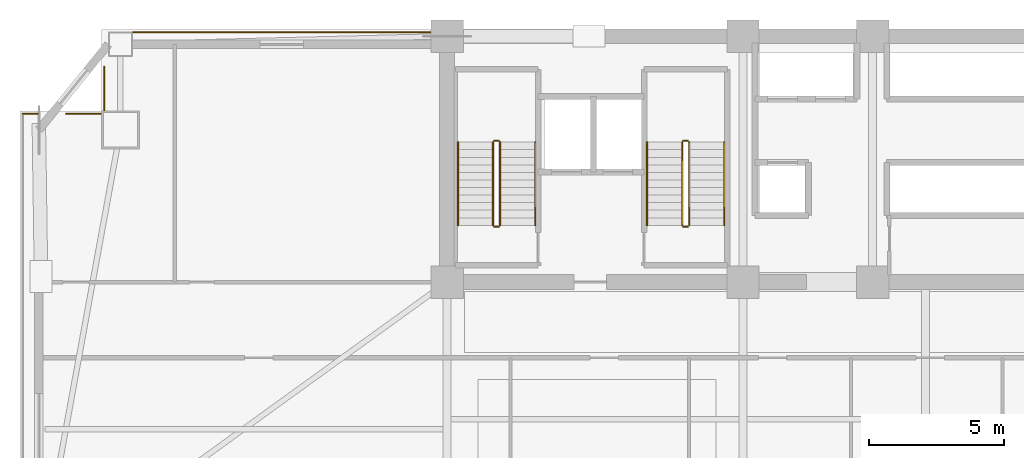
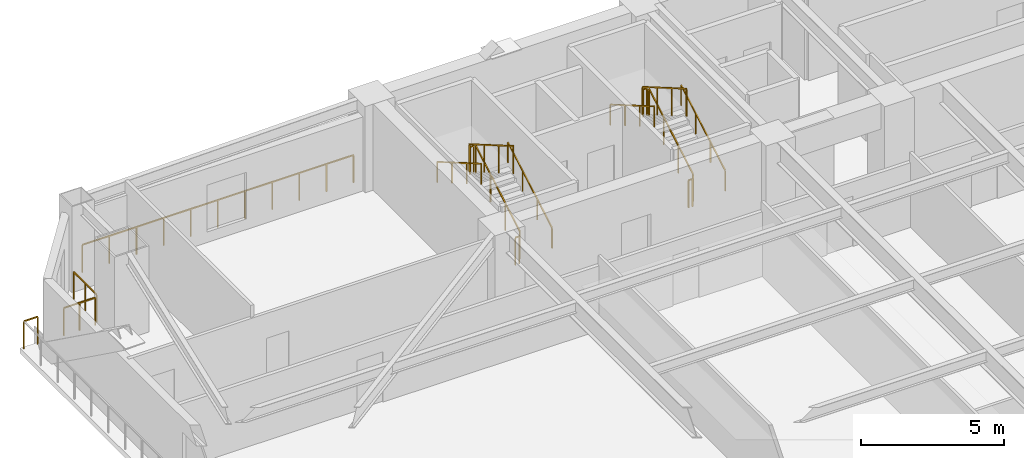
# One storey, part 14 of 15: 16 railings.
"""IFC4 building model written with IfcOpenShell, lengths in metres."""

from ifc_helpers import new_model, si_unit, direction, frame, origin, origin_2d, place, context, subcontext, project, spatial, rectangle, extrude, material, type_object, element, save


model = new_model("IFC4")

# Units and contexts
model_context = context("Model", 3, precision=1e-05, world=origin(), true_north=direction((0.0, 1.0)))
body_context = subcontext(model_context, "Body", "Model", "MODEL_VIEW")
ifc_project = project(units=[si_unit("LENGTHUNIT", "METRE"), si_unit("AREAUNIT", "SQUARE_METRE"), si_unit("VOLUMEUNIT", "CUBIC_METRE"), si_unit("PLANEANGLEUNIT", "RADIAN"), si_unit("MASSUNIT", "GRAM", prefix="KILO")], contexts=[model_context])

# Site, building, storey
site_placement = place(None, origin())
site = spatial("IfcSite", under=ifc_project, at=site_placement, CompositionType="ELEMENT")
building_placement = place(site_placement, origin())
building = spatial("IfcBuilding", under=site, at=building_placement, Name="Giltprow Tower", CompositionType="ELEMENT")
storey_placement = place(building_placement, frame((0.0, 0.0, 111.39990234375)))
storey = spatial("IfcBuildingStorey", under=building, at=storey_placement, Name="L27", CompositionType="ELEMENT", Elevation=111.39990234375)

# Railings
ifc_material = material(Name="Anodized bronze", Category="metal")
railing_type_1 = type_object("IfcRailingType", Name="RAIL-BALC-GUARD-1200", PredefinedType="BALUSTRADE", material=ifc_material)
railing_1_placement = place(storey_placement, frame((4.14404296875, 43.68310546875, 0.0)))
element("IfcRailing", 1, at=railing_1_placement, inside=storey, type_object=railing_type_1, Name="L27 Corner Apron Edge Balustrade 6", PredefinedType="BALUSTRADE", context=body_context, shape_type="SweptSolid", body=[
    extrude(rectangle(XDim=0.048095703125, YDim=0.048095703125, at=origin_2d()), frame((0.0, 0.0, 1.17578125), z_axis=(1.0, 0.0, 0.0), x_axis=(0.0, 1.0, 0.0)), (0.0, 0.0, 1.0), 0.558837890625),
    extrude(rectangle(XDim=0.0419921875, YDim=0.0419921875, at=origin_2d()), origin(), (0.0, 0.0, 1.0), 1.15185546875),
    extrude(rectangle(XDim=0.0419921875, YDim=0.0419921875, at=origin_2d()), frame((0.558837890625, 0.0, 0.0)), (0.0, 0.0, 1.0), 1.15185546875),
])
railing_2_placement = place(storey_placement, frame((5.758056640625, 43.68310546875, 0.0)))
element("IfcRailing", 2, at=railing_2_placement, inside=storey, type_object=railing_type_1, Name="L27 Corner Apron Edge Balustrade 7", PredefinedType="BALUSTRADE", context=body_context, shape_type="SweptSolid", body=[
    extrude(rectangle(XDim=0.048095703125, YDim=0.048095703125, at=origin_2d()), frame((0.0, 0.0, 1.17578125), z_axis=(1.0, 0.0, 0.0), x_axis=(0.0, 1.0, 0.0)), (0.0, 0.0, 1.0), 1.267822265625),
    extrude(rectangle(XDim=0.0419921875, YDim=0.0419921875, at=origin_2d()), origin(), (0.0, 0.0, 1.0), 1.15185546875),
    extrude(rectangle(XDim=0.0419921875, YDim=0.0419921875, at=origin_2d()), frame((0.6337890625, 0.0, 0.0)), (0.0, 0.0, 1.0), 1.15185546875),
    extrude(rectangle(XDim=0.0419921875, YDim=0.0419921875, at=origin_2d()), frame((1.267822265625, 0.0, 0.0)), (0.0, 0.0, 1.0), 1.15185546875),
])
railing_3_placement = place(storey_placement, frame((7.160888671875, 43.818115234375, 0.0)))
element("IfcRailing", 3, at=railing_3_placement, inside=storey, type_object=railing_type_1, Name="L27 Corner Apron Edge Balustrade 8", PredefinedType="BALUSTRADE", context=body_context, shape_type="SweptSolid", body=[
    extrude(rectangle(XDim=0.048095703125, YDim=0.048095703125, at=origin_2d()), frame((0.0, 0.0, 1.17578125), z_axis=(0.0, 1.0, 0.0), x_axis=(-1.0, 0.0, 0.0)), (0.0, 0.0, 1.0), 1.595947265625),
    extrude(rectangle(XDim=0.0419921875, YDim=0.0419921875, at=origin_2d()), origin(), (0.0, 0.0, 1.0), 1.15185546875),
    extrude(rectangle(XDim=0.0419921875, YDim=0.0419921875, at=origin_2d()), frame((0.0, 0.7978515625, 0.0)), (0.0, 0.0, 1.0), 1.15185546875),
    extrude(rectangle(XDim=0.0419921875, YDim=0.0419921875, at=origin_2d()), frame((0.0, 1.595947265625, 0.0)), (0.0, 0.0, 1.0), 1.15185546875),
])
railing_4_placement = place(storey_placement, frame((8.24609375, 46.699951171875, 0.0)))
element("IfcRailing", 4, at=railing_4_placement, inside=storey, type_object=railing_type_1, Name="L27 Corner Apron Edge Balustrade 9", PredefinedType="BALUSTRADE", context=body_context, shape_type="SweptSolid", body=[
    extrude(rectangle(XDim=0.048095703125, YDim=0.048095703125, at=origin_2d()), frame((0.0, 0.0, 1.17578125), z_axis=(1.0, 0.0, 0.0), x_axis=(0.0, 1.0, 0.0)), (0.0, 0.0, 1.0), 10.968994140625),
    extrude(rectangle(XDim=0.0419921875, YDim=0.0419921875, at=origin_2d()), origin(), (0.0, 0.0, 1.0), 1.15185546875),
    extrude(rectangle(XDim=0.0419921875, YDim=0.0419921875, at=origin_2d()), frame((1.096923828125, 0.0, 0.0)), (0.0, 0.0, 1.0), 1.15185546875),
    extrude(rectangle(XDim=0.0419921875, YDim=0.0419921875, at=origin_2d()), frame((2.19384765625, 0.0, 0.0)), (0.0, 0.0, 1.0), 1.15185546875),
    extrude(rectangle(XDim=0.0419921875, YDim=0.0419921875, at=origin_2d()), frame((3.290771484375, 0.0, 0.0)), (0.0, 0.0, 1.0), 1.15185546875),
    extrude(rectangle(XDim=0.0419921875, YDim=0.0419921875, at=origin_2d()), frame((4.3876953125, 0.0, 0.0)), (0.0, 0.0, 1.0), 1.15185546875),
    extrude(rectangle(XDim=0.0419921875, YDim=0.0419921875, at=origin_2d()), frame((5.484375, 0.0, 0.0)), (0.0, 0.0, 1.0), 1.15185546875),
    extrude(rectangle(XDim=0.0419921875, YDim=0.0419921875, at=origin_2d()), frame((6.581298828125, 0.0, 0.0)), (0.0, 0.0, 1.0), 1.15185546875),
    extrude(rectangle(XDim=0.0419921875, YDim=0.0419921875, at=origin_2d()), frame((7.67822265625, 0.0, 0.0)), (0.0, 0.0, 1.0), 1.15185546875),
    extrude(rectangle(XDim=0.0419921875, YDim=0.0419921875, at=origin_2d()), frame((8.775146484375, 0.0, 0.0)), (0.0, 0.0, 1.0), 1.15185546875),
    extrude(rectangle(XDim=0.0419921875, YDim=0.0419921875, at=origin_2d()), frame((9.8720703125, 0.0, 0.0)), (0.0, 0.0, 1.0), 1.15185546875),
    extrude(rectangle(XDim=0.0419921875, YDim=0.0419921875, at=origin_2d()), frame((10.968994140625, 0.0, 0.0)), (0.0, 0.0, 1.0), 1.15185546875),
])
railing_type_2 = type_object("IfcRailingType", Name="RAIL-STAIR-GUARD-1200", PredefinedType="GUARDRAIL", material=ifc_material)
railing_5_placement = place(storey_placement, frame((21.81005859375, 39.550048828125, 0.16259765625)))
element("IfcRailing", 5, at=railing_5_placement, inside=storey, type_object=railing_type_2, Name="L27 ST-1 stair guard 1", PredefinedType="GUARDRAIL", context=body_context, shape_type="SweptSolid", body=[
    extrude(rectangle(XDim=0.048095703125, YDim=0.048095703125, at=origin_2d()), frame((0.0, 0.0, 1.17578125), z_axis=(0.0, 0.864873446163, 0.501989962173), x_axis=(-1.0, 0.0, 0.0)), (0.0, 0.0, 1.0), 3.56103515625),
    extrude(rectangle(XDim=0.0419921875, YDim=0.0419921875, at=origin_2d()), origin(), (0.0, 0.0, 1.0), 1.15185546875),
    extrude(rectangle(XDim=0.0419921875, YDim=0.0419921875, at=origin_2d()), frame((0.0, 1.026611328125, 0.595947265625)), (0.0, 0.0, 1.0), 1.15185546875),
    extrude(rectangle(XDim=0.0419921875, YDim=0.0419921875, at=origin_2d()), frame((0.0, 2.05322265625, 1.191650390625)), (0.0, 0.0, 1.0), 1.15185546875),
    extrude(rectangle(XDim=0.0419921875, YDim=0.0419921875, at=origin_2d()), frame((0.0, 3.079833984375, 1.78759765625)), (0.0, 0.0, 1.0), 1.15185546875),
])
railing_6_placement = place(storey_placement, frame((21.760009765625, 42.679931640625, 1.9501953125)))
element("IfcRailing", 6, at=railing_6_placement, inside=storey, type_object=railing_type_2, Name="L27 ST-1 stair guard 2", PredefinedType="GUARDRAIL", context=body_context, shape_type="SweptSolid", body=[
    extrude(rectangle(XDim=0.048095703125, YDim=0.048095703125, at=origin_2d()), frame((0.0, 0.0, 1.17578125), z_axis=(-1.0, 0.0, 0.0), x_axis=(0.0, -1.0, 0.0)), (0.0, 0.0, 1.0), 0.159912109375),
    extrude(rectangle(XDim=0.0419921875, YDim=0.0419921875, at=origin_2d()), origin(), (0.0, 0.0, 1.0), 1.15185546875),
    extrude(rectangle(XDim=0.0419921875, YDim=0.0419921875, at=origin_2d()), frame((-0.159912109375, 0.0, 0.0)), (0.0, 0.0, 1.0), 1.15185546875),
])
railing_7_placement = place(storey_placement, frame((21.550048828125, 42.6298828125, 2.112548828125)))
element("IfcRailing", 7, at=railing_7_placement, inside=storey, type_object=railing_type_2, Name="L27 ST-1 stair guard 3", PredefinedType="GUARDRAIL", context=body_context, shape_type="SweptSolid", body=[
    extrude(rectangle(XDim=0.048095703125, YDim=0.048095703125, at=origin_2d()), frame((0.0, 0.0, 1.17578125), z_axis=(0.0, -0.864873446163, 0.501989962173), x_axis=(1.0, 0.0, 0.0)), (0.0, 0.0, 1.0), 3.56103515625),
    extrude(rectangle(XDim=0.0419921875, YDim=0.0419921875, at=origin_2d()), origin(), (0.0, 0.0, 1.0), 1.15185546875),
    extrude(rectangle(XDim=0.0419921875, YDim=0.0419921875, at=origin_2d()), frame((0.0, -1.026611328125, 0.595947265625)), (0.0, 0.0, 1.0), 1.15185546875),
    extrude(rectangle(XDim=0.0419921875, YDim=0.0419921875, at=origin_2d()), frame((0.0, -2.05322265625, 1.191650390625)), (0.0, 0.0, 1.0), 1.15185546875),
    extrude(rectangle(XDim=0.0419921875, YDim=0.0419921875, at=origin_2d()), frame((0.0, -3.079833984375, 1.78759765625)), (0.0, 0.0, 1.0), 1.15185546875),
])
railing_8_placement = place(storey_placement, frame((21.760009765625, 39.5, 0.0)))
element("IfcRailing", 8, at=railing_8_placement, inside=storey, type_object=railing_type_2, Name="L27 ST-1 stair guard 4", PredefinedType="GUARDRAIL", context=body_context, shape_type="SweptSolid", body=[
    extrude(rectangle(XDim=0.048095703125, YDim=0.048095703125, at=origin_2d()), frame((0.0, 0.0, 1.17578125), z_axis=(-1.0, 0.0, 0.0), x_axis=(0.0, -1.0, 0.0)), (0.0, 0.0, 1.0), 0.159912109375),
    extrude(rectangle(XDim=0.0419921875, YDim=0.0419921875, at=origin_2d()), origin(), (0.0, 0.0, 1.0), 1.15185546875),
    extrude(rectangle(XDim=0.0419921875, YDim=0.0419921875, at=origin_2d()), frame((-0.159912109375, 0.0, 0.0)), (0.0, 0.0, 1.0), 1.15185546875),
])
railing_9_placement = place(storey_placement, frame((28.81005859375, 39.550048828125, 0.16259765625)))
element("IfcRailing", 9, at=railing_9_placement, inside=storey, type_object=railing_type_2, Name="L27 ST-2 stair guard 1", PredefinedType="GUARDRAIL", context=body_context, shape_type="SweptSolid", body=[
    extrude(rectangle(XDim=0.048095703125, YDim=0.048095703125, at=origin_2d()), frame((0.0, 0.0, 1.17578125), z_axis=(0.0, 0.864873446163, 0.501989962173), x_axis=(-1.0, 0.0, 0.0)), (0.0, 0.0, 1.0), 3.56103515625),
    extrude(rectangle(XDim=0.0419921875, YDim=0.0419921875, at=origin_2d()), origin(), (0.0, 0.0, 1.0), 1.15185546875),
    extrude(rectangle(XDim=0.0419921875, YDim=0.0419921875, at=origin_2d()), frame((0.0, 1.026611328125, 0.595947265625)), (0.0, 0.0, 1.0), 1.15185546875),
    extrude(rectangle(XDim=0.0419921875, YDim=0.0419921875, at=origin_2d()), frame((0.0, 2.05322265625, 1.191650390625)), (0.0, 0.0, 1.0), 1.15185546875),
    extrude(rectangle(XDim=0.0419921875, YDim=0.0419921875, at=origin_2d()), frame((0.0, 3.079833984375, 1.78759765625)), (0.0, 0.0, 1.0), 1.15185546875),
])
railing_10_placement = place(storey_placement, frame((28.760009765625, 42.679931640625, 1.9501953125)))
element("IfcRailing", 10, at=railing_10_placement, inside=storey, type_object=railing_type_2, Name="L27 ST-2 stair guard 2", PredefinedType="GUARDRAIL", context=body_context, shape_type="SweptSolid", body=[
    extrude(rectangle(XDim=0.048095703125, YDim=0.048095703125, at=origin_2d()), frame((0.0, 0.0, 1.17578125), z_axis=(-1.0, 0.0, 0.0), x_axis=(0.0, -1.0, 0.0)), (0.0, 0.0, 1.0), 0.159912109375),
    extrude(rectangle(XDim=0.0419921875, YDim=0.0419921875, at=origin_2d()), origin(), (0.0, 0.0, 1.0), 1.15185546875),
    extrude(rectangle(XDim=0.0419921875, YDim=0.0419921875, at=origin_2d()), frame((-0.159912109375, 0.0, 0.0)), (0.0, 0.0, 1.0), 1.15185546875),
])
railing_11_placement = place(storey_placement, frame((28.550048828125, 42.6298828125, 2.112548828125)))
element("IfcRailing", 11, at=railing_11_placement, inside=storey, type_object=railing_type_2, Name="L27 ST-2 stair guard 3", PredefinedType="GUARDRAIL", context=body_context, shape_type="SweptSolid", body=[
    extrude(rectangle(XDim=0.048095703125, YDim=0.048095703125, at=origin_2d()), frame((0.0, 0.0, 1.17578125), z_axis=(0.0, -0.864873446163, 0.501989962173), x_axis=(1.0, 0.0, 0.0)), (0.0, 0.0, 1.0), 3.56103515625),
    extrude(rectangle(XDim=0.0419921875, YDim=0.0419921875, at=origin_2d()), origin(), (0.0, 0.0, 1.0), 1.15185546875),
    extrude(rectangle(XDim=0.0419921875, YDim=0.0419921875, at=origin_2d()), frame((0.0, -1.026611328125, 0.595947265625)), (0.0, 0.0, 1.0), 1.15185546875),
    extrude(rectangle(XDim=0.0419921875, YDim=0.0419921875, at=origin_2d()), frame((0.0, -2.05322265625, 1.191650390625)), (0.0, 0.0, 1.0), 1.15185546875),
    extrude(rectangle(XDim=0.0419921875, YDim=0.0419921875, at=origin_2d()), frame((0.0, -3.079833984375, 1.78759765625)), (0.0, 0.0, 1.0), 1.15185546875),
])
railing_12_placement = place(storey_placement, frame((28.760009765625, 39.5, 0.0)))
element("IfcRailing", 12, at=railing_12_placement, inside=storey, type_object=railing_type_2, Name="L27 ST-2 stair guard 4", PredefinedType="GUARDRAIL", context=body_context, shape_type="SweptSolid", body=[
    extrude(rectangle(XDim=0.048095703125, YDim=0.048095703125, at=origin_2d()), frame((0.0, 0.0, 1.17578125), z_axis=(-1.0, 0.0, 0.0), x_axis=(0.0, -1.0, 0.0)), (0.0, 0.0, 1.0), 0.159912109375),
    extrude(rectangle(XDim=0.0419921875, YDim=0.0419921875, at=origin_2d()), origin(), (0.0, 0.0, 1.0), 1.15185546875),
    extrude(rectangle(XDim=0.0419921875, YDim=0.0419921875, at=origin_2d()), frame((-0.159912109375, 0.0, 0.0)), (0.0, 0.0, 1.0), 1.15185546875),
])
railing_type_3 = type_object("IfcRailingType", Name="RAIL-STAIR-HAND-900", PredefinedType="HANDRAIL", material=ifc_material)
railing_13_placement = place(storey_placement, frame((23.110107421875, 39.550048828125, 0.16259765625)))
element("IfcRailing", 13, at=railing_13_placement, inside=storey, type_object=railing_type_3, Name="L27 ST-1 stair handrail 1", PredefinedType="HANDRAIL", context=body_context, shape_type="SweptSolid", body=[
    extrude(rectangle(XDim=0.048095703125, YDim=0.048095703125, at=origin_2d()), frame((0.0, 0.0, 0.8759765625), z_axis=(0.0, 0.864873446163, 0.501989962173), x_axis=(-1.0, 0.0, 0.0)), (0.0, 0.0, 1.0), 3.56103515625),
    extrude(rectangle(XDim=0.0419921875, YDim=0.0419921875, at=origin_2d()), origin(), (0.0, 0.0, 1.0), 0.851806640625),
    extrude(rectangle(XDim=0.0419921875, YDim=0.0419921875, at=origin_2d()), frame((0.0, 1.026611328125, 0.595947265625)), (0.0, 0.0, 1.0), 0.851806640625),
    extrude(rectangle(XDim=0.0419921875, YDim=0.0419921875, at=origin_2d()), frame((0.0, 2.05322265625, 1.191650390625)), (0.0, 0.0, 1.0), 0.851806640625),
    extrude(rectangle(XDim=0.0419921875, YDim=0.0419921875, at=origin_2d()), frame((0.0, 3.079833984375, 1.78759765625)), (0.0, 0.0, 1.0), 0.851806640625),
])
railing_14_placement = place(storey_placement, frame((20.25, 42.6298828125, 2.112548828125)))
element("IfcRailing", 14, at=railing_14_placement, inside=storey, type_object=railing_type_3, Name="L27 ST-1 stair handrail 2", PredefinedType="HANDRAIL", context=body_context, shape_type="SweptSolid", body=[
    extrude(rectangle(XDim=0.048095703125, YDim=0.048095703125, at=origin_2d()), frame((0.0, 0.0, 0.8759765625), z_axis=(0.0, -0.864873446163, 0.501989962173), x_axis=(1.0, 0.0, 0.0)), (0.0, 0.0, 1.0), 3.56103515625),
    extrude(rectangle(XDim=0.0419921875, YDim=0.0419921875, at=origin_2d()), origin(), (0.0, 0.0, 1.0), 0.851806640625),
    extrude(rectangle(XDim=0.0419921875, YDim=0.0419921875, at=origin_2d()), frame((0.0, -1.026611328125, 0.595947265625)), (0.0, 0.0, 1.0), 0.851806640625),
    extrude(rectangle(XDim=0.0419921875, YDim=0.0419921875, at=origin_2d()), frame((0.0, -2.05322265625, 1.191650390625)), (0.0, 0.0, 1.0), 0.851806640625),
    extrude(rectangle(XDim=0.0419921875, YDim=0.0419921875, at=origin_2d()), frame((0.0, -3.079833984375, 1.78759765625)), (0.0, 0.0, 1.0), 0.851806640625),
])
railing_15_placement = place(storey_placement, frame((30.110107421875, 39.550048828125, 0.16259765625)))
element("IfcRailing", 15, at=railing_15_placement, inside=storey, type_object=railing_type_3, Name="L27 ST-2 stair handrail 1", PredefinedType="HANDRAIL", context=body_context, shape_type="SweptSolid", body=[
    extrude(rectangle(XDim=0.048095703125, YDim=0.048095703125, at=origin_2d()), frame((0.0, 0.0, 0.8759765625), z_axis=(0.0, 0.864873446163, 0.501989962173), x_axis=(-1.0, 0.0, 0.0)), (0.0, 0.0, 1.0), 3.56103515625),
    extrude(rectangle(XDim=0.0419921875, YDim=0.0419921875, at=origin_2d()), origin(), (0.0, 0.0, 1.0), 0.851806640625),
    extrude(rectangle(XDim=0.0419921875, YDim=0.0419921875, at=origin_2d()), frame((0.0, 1.026611328125, 0.595947265625)), (0.0, 0.0, 1.0), 0.851806640625),
    extrude(rectangle(XDim=0.0419921875, YDim=0.0419921875, at=origin_2d()), frame((0.0, 2.05322265625, 1.191650390625)), (0.0, 0.0, 1.0), 0.851806640625),
    extrude(rectangle(XDim=0.0419921875, YDim=0.0419921875, at=origin_2d()), frame((0.0, 3.079833984375, 1.78759765625)), (0.0, 0.0, 1.0), 0.851806640625),
])
railing_16_placement = place(storey_placement, frame((27.25, 42.6298828125, 2.112548828125)))
element("IfcRailing", 16, at=railing_16_placement, inside=storey, type_object=railing_type_3, Name="L27 ST-2 stair handrail 2", PredefinedType="HANDRAIL", context=body_context, shape_type="SweptSolid", body=[
    extrude(rectangle(XDim=0.048095703125, YDim=0.048095703125, at=origin_2d()), frame((0.0, 0.0, 0.8759765625), z_axis=(0.0, -0.864873446163, 0.501989962173), x_axis=(1.0, 0.0, 0.0)), (0.0, 0.0, 1.0), 3.56103515625),
    extrude(rectangle(XDim=0.0419921875, YDim=0.0419921875, at=origin_2d()), origin(), (0.0, 0.0, 1.0), 0.851806640625),
    extrude(rectangle(XDim=0.0419921875, YDim=0.0419921875, at=origin_2d()), frame((0.0, -1.026611328125, 0.595947265625)), (0.0, 0.0, 1.0), 0.851806640625),
    extrude(rectangle(XDim=0.0419921875, YDim=0.0419921875, at=origin_2d()), frame((0.0, -2.05322265625, 1.191650390625)), (0.0, 0.0, 1.0), 0.851806640625),
    extrude(rectangle(XDim=0.0419921875, YDim=0.0419921875, at=origin_2d()), frame((0.0, -3.079833984375, 1.78759765625)), (0.0, 0.0, 1.0), 0.851806640625),
])

save(model, "model.ifc")
